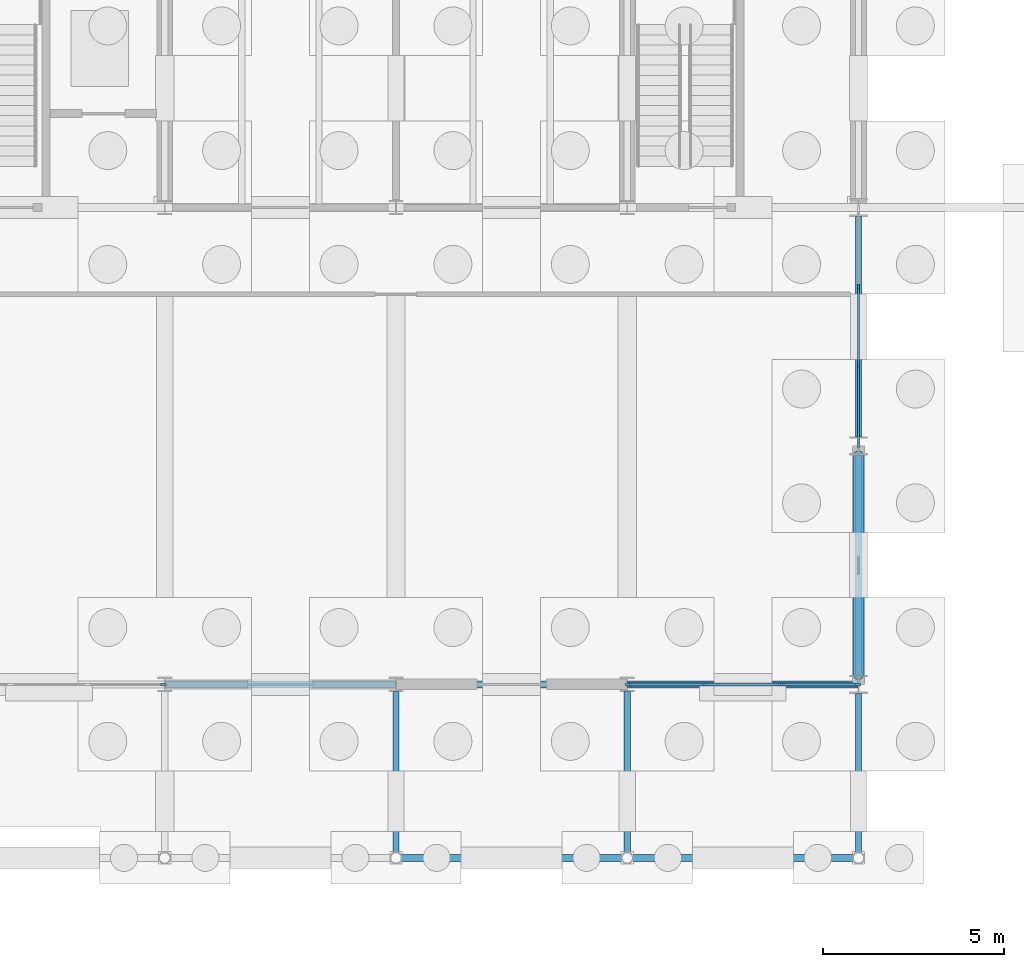
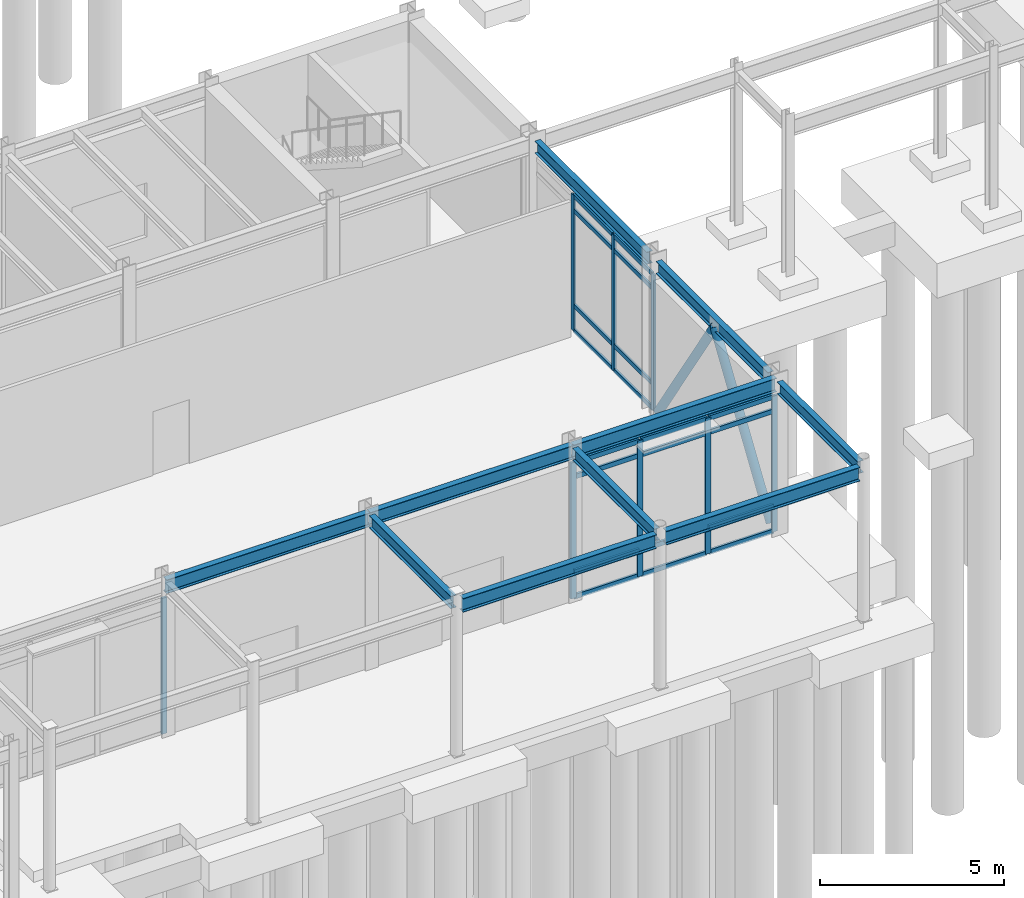
# One storey, part 33 of 82: 30 members, 10 beams, 3 elements without a shape of their own.
"""IFC4 building model written with IfcOpenShell, lengths in metres."""

from ifc_helpers import new_model, si_unit, direction, frame, origin, origin_2d, place, context, subcontext, project, spatial, rectangle, hollow_circle, i_section, extrude, material, layer, layer_set, material_profile, profile_set, type_object, element, aggregate, save


model = new_model("IFC4")

# Units and contexts
model_context = context("Model", 3, precision=1e-05, world=origin(), true_north=direction((0.0, 1.0)))
body_context = subcontext(model_context, "Body", "Model", "MODEL_VIEW")
ifc_project = project(units=[si_unit("LENGTHUNIT", "METRE"), si_unit("AREAUNIT", "SQUARE_METRE"), si_unit("VOLUMEUNIT", "CUBIC_METRE"), si_unit("PLANEANGLEUNIT", "RADIAN"), si_unit("MASSUNIT", "GRAM", prefix="KILO")], contexts=[model_context])

# Site, building, storey
site_placement = place(None, origin())
site = spatial("IfcSite", under=ifc_project, at=site_placement, CompositionType="ELEMENT")
building_placement = place(site_placement, origin())
building = spatial("IfcBuilding", under=site, at=building_placement, Name="Trelmorton Wharf Fire Station", CompositionType="ELEMENT")
storey_placement = place(building_placement, origin())
storey = spatial("IfcBuildingStorey", under=building, at=storey_placement, Name="L00", CompositionType="ELEMENT", Elevation=0.0)

# Beams
ifc_material_1 = material(Name="Steel Grade 350", Category="steel")
ifc_material_profile_1 = material_profile(ifc_material_1, i_section(OverallWidth=0.177978515625, OverallDepth=0.406005859375, WebThickness=0.0078125, FlangeThickness=0.0126953125, FilletRadius=0.011474609375, at=origin_2d()), Name="410UB59.7")
ifc_profile_set_1 = profile_set([ifc_material_profile_1], Name="Steel Grade 350")
beam_type_1 = type_object("IfcBeamType", Name="BM_410UB60", PredefinedType="BEAM", material=ifc_profile_set_1)
for number, where, z_axis, x_axis, name in (
    (1, (70.800048828125, 3.157958984375, 4.927001953125), (0.0, 1.0, 0.0), (-1.0, 0.0, 0.0), "BM-L00-0286"),
    (2, (77.199951171875, 3.157958984375, 4.927001953125), (0.0, 1.0, 0.0), (-1.0, 0.0, 0.0), "BM-L00-0292"),
):
    element("IfcBeam", number, at=place(storey_placement, frame(where, z_axis=z_axis, x_axis=x_axis)), inside=storey, type_object=beam_type_1, Name=name, PredefinedType="BEAM", context=body_context, shape_type="SweptSolid", body=[
        extrude(i_section(OverallWidth=0.177978515625, OverallDepth=0.406005859375, WebThickness=0.0078125, FlangeThickness=0.0126953125, FilletRadius=0.011474609375, at=origin_2d()), origin(), (0.0, 0.0, 1.0), 4.446044921875),
    ])
beam_1_placement = place(storey_placement, frame((83.60009765625, 3.157958984375, 4.927001953125), z_axis=(0.0, 1.0, 0.0), x_axis=(-1.0, 0.0, 0.0)))
element("IfcBeam", 3, at=beam_1_placement, inside=storey, type_object=beam_type_1, Name="BM-L00-0298", PredefinedType="BEAM", context=body_context, shape_type="SweptSolid", body=[
    extrude(i_section(OverallWidth=0.177978515625, OverallDepth=0.406005859375, WebThickness=0.0078125, FlangeThickness=0.0126953125, FilletRadius=0.011474609375, at=origin_2d()), origin(), (0.0, 0.0, 1.0), 4.39599609375),
])
beam_2_placement = place(storey_placement, frame((83.60009765625, 8.0458984375, 4.927001953125), z_axis=(0.0, 1.0, 0.0), x_axis=(-1.0, 0.0, 0.0)))
element("IfcBeam", 4, at=beam_2_placement, inside=storey, type_object=beam_type_1, Name="BM-L00-0299", PredefinedType="BEAM", context=body_context, shape_type="SweptSolid", body=[
    extrude(i_section(OverallWidth=0.177978515625, OverallDepth=0.406005859375, WebThickness=0.0078125, FlangeThickness=0.0126953125, FilletRadius=0.011474609375, at=origin_2d()), origin(), (0.0, 0.0, 1.0), 6.108154296875),
])
beam_3_placement = place(storey_placement, frame((83.60009765625, 14.64599609375, 4.927001953125), z_axis=(0.0, 1.0, 0.0), x_axis=(-1.0, 0.0, 0.0)))
element("IfcBeam", 5, at=beam_3_placement, inside=storey, type_object=beam_type_1, Name="BM-L00-0300", PredefinedType="BEAM", context=body_context, shape_type="SweptSolid", body=[
    extrude(i_section(OverallWidth=0.177978515625, OverallDepth=0.406005859375, WebThickness=0.0078125, FlangeThickness=0.0126953125, FilletRadius=0.011474609375, at=origin_2d()), origin(), (0.0, 0.0, 1.0), 6.10791015625),
])
ifc_material_2 = material(Name="Signal-red architectural steel Grade 350", Category="steel")
ifc_material_profile_2 = material_profile(ifc_material_2, i_section(OverallWidth=0.19091796875, OverallDepth=0.4599609375, WebThickness=0.010009765625, FlangeThickness=0.01611328125, FilletRadius=0.011474609375, at=origin_2d()), Name="460UB82.1")
ifc_profile_set_2 = profile_set([ifc_material_profile_2], Name="Signal-red architectural steel Grade 350")
beam_type_2 = type_object("IfcBeamType", Name="BM_RED_460UB82", PredefinedType="BEAM", material=ifc_profile_set_2)
for number, where, z_axis, x_axis, name in (
    (6, (70.9580078125, 3.0, 4.89990234375), (1.0, 0.0, 0.0), (0.0, 1.0, 0.0), "BM-L00-0013"),
    (7, (77.35791015625, 3.0, 4.89990234375), (1.0, 0.0, 0.0), (0.0, 1.0, 0.0), "BM-L00-0014"),
):
    element("IfcBeam", number, at=place(storey_placement, frame(where, z_axis=z_axis, x_axis=x_axis)), inside=storey, type_object=beam_type_2, Name=name, PredefinedType="BEAM", context=body_context, shape_type="SweptSolid", body=[
        extrude(i_section(OverallWidth=0.19091796875, OverallDepth=0.4599609375, WebThickness=0.010009765625, FlangeThickness=0.01611328125, FilletRadius=0.011474609375, at=origin_2d()), origin(), (0.0, 0.0, 1.0), 6.083984375),
    ])

# Members
ifc_material_3 = material(Name="Steel C350L0 (350 MPa)", Category="steel")
ifc_material_profile_3 = material_profile(ifc_material_3, hollow_circle(Radius=0.136474609375, WallThickness=0.00927734375, at=origin_2d()), Name="273.1x9.3CHS")
ifc_profile_set_3 = profile_set([ifc_material_profile_3], Name="Steel C350L0 (350 MPa)")
member_type_1 = type_object("IfcMemberType", Name="BR_273CHS", PredefinedType="BRACE", material=ifc_profile_set_3)
for number, where, z_axis, x_axis, name in (
    (8, (83.60009765625, 8.047119140625, 0.1201171875), (0.0, 0.548017798761, 0.836466671327), (-1.0, 0.0, 0.0), "CBF-V3-E-L00-A"),
    (9, (83.60009765625, 14.153076171875, 0.1201171875), (0.0, -0.548017798761, 0.836466671327), (1.0, 0.0, 0.0), "CBF-V3-E-L00-B"),
):
    element("IfcMember", number, at=place(storey_placement, frame(where, z_axis=z_axis, x_axis=x_axis)), inside=storey, type_object=member_type_1, Name=name, PredefinedType="BRACE", context=body_context, shape_type="SweptSolid", body=[
        extrude(hollow_circle(Radius=0.136474609375, WallThickness=0.00927734375, at=origin_2d()), origin(), (0.0, 0.0, 1.0), 5.571044921875),
    ])

# Curtain wall, member
ifc_material_4 = material(Name="Anodised aluminium AW-6063", Category="aluminium")
ifc_layer_1 = layer(ifc_material_4, 0.159912109375)
ifc_layer_set_1 = layer_set([ifc_layer_1], Name="Anodised aluminium AW-6063")
curtain_wall_type_1 = type_object("IfcCurtainWallType", Name="CW_CHIC_A", PredefinedType="USERDEFINED", material=ifc_layer_set_1)
curtain_wall_1_placement = place(storey_placement, origin())
curtain_wall_1 = element("IfcCurtainWall", 10, at=curtain_wall_1_placement, inside=storey, type_object=curtain_wall_type_1, Name="CW-V3-L00-019", ObjectType="CHICAGO BAY CURTAIN WALL", PredefinedType="USERDEFINED")
ifc_material_profile_4 = material_profile(ifc_material_4, rectangle(XDim=0.06494140625, YDim=0.159912109375, at=origin_2d()), Name="ALU-65x160")
ifc_profile_set_4 = profile_set([ifc_material_profile_4], Name="Anodised aluminium AW-6063")
member_type_2 = type_object("IfcMemberType", Name="CWM_65x160", PredefinedType="MULLION", material=ifc_profile_set_4)
member_1_placement = place(storey_placement, frame((64.364990234375, 7.800048828125, 0.0), z_axis=(0.0, 0.0, 1.0), x_axis=(0.0, -1.0, 0.0)))
member_1 = element("IfcMember", 11, at=member_1_placement, type_object=member_type_2, Name="CW1 mullion 1", PredefinedType="MULLION", context=body_context, shape_type="SweptSolid", body=[
    extrude(rectangle(XDim=0.06494140625, YDim=0.159912109375, at=origin_2d()), origin(), (0.0, 0.0, 1.0), 4.52001953125),
])
aggregate(curtain_wall_1, [member_1])

# Curtain wall, members
ifc_layer_2 = layer(ifc_material_4, 0.14990234375)
ifc_layer_set_2 = layer_set([ifc_layer_2], Name="Anodised aluminium AW-6063")
curtain_wall_type_2 = type_object("IfcCurtainWallType", Name="CW_UNIT_A", PredefinedType="USERDEFINED", material=ifc_layer_set_2)
curtain_wall_2_placement = place(storey_placement, origin())
curtain_wall_2 = element("IfcCurtainWall", 12, at=curtain_wall_2_placement, inside=storey, type_object=curtain_wall_type_2, Name="CW-V3-L00-021", ObjectType="UNITISED CURTAIN WALL", PredefinedType="USERDEFINED")
member_2_placement = place(storey_placement, frame((83.60009765625, 18.79833984375, 0.0), z_axis=(0.0, 0.0, 1.0), x_axis=(1.0, 0.0, 0.0)))
member_2 = element("IfcMember", 13, at=member_2_placement, type_object=member_type_2, Name="CW3 mullion 2", PredefinedType="MULLION", context=body_context, shape_type="SweptSolid", body=[
    extrude(rectangle(XDim=0.06494140625, YDim=0.159912109375, at=origin_2d()), origin(), (0.0, 0.0, 1.0), 4.52001953125),
])
member_3_placement = place(storey_placement, frame((83.60009765625, 16.6015625, 0.0), z_axis=(0.0, 0.0, 1.0), x_axis=(1.0, 0.0, 0.0)))
member_3 = element("IfcMember", 14, at=member_3_placement, type_object=member_type_2, Name="CW3 mullion 3", PredefinedType="MULLION", context=body_context, shape_type="SweptSolid", body=[
    extrude(rectangle(XDim=0.06494140625, YDim=0.159912109375, at=origin_2d()), origin(), (0.0, 0.0, 1.0), 4.52001953125),
])
member_4_placement = place(storey_placement, frame((83.60009765625, 14.43505859375, 0.0), z_axis=(0.0, 0.0, 1.0), x_axis=(1.0, 0.0, 0.0)))
member_4 = element("IfcMember", 15, at=member_4_placement, type_object=member_type_2, Name="CW3 mullion 4", PredefinedType="MULLION", context=body_context, shape_type="SweptSolid", body=[
    extrude(rectangle(XDim=0.06494140625, YDim=0.159912109375, at=origin_2d()), origin(), (0.0, 0.0, 1.0), 4.52001953125),
])

curtain_wall_3_placement = place(storey_placement, origin())
curtain_wall_3 = element("IfcCurtainWall", 16, at=curtain_wall_3_placement, inside=storey, type_object=curtain_wall_type_1, Name="CW-V3-L00-020", ObjectType="CHICAGO BAY CURTAIN WALL", PredefinedType="USERDEFINED")
ifc_material_profile_5 = material_profile(ifc_material_4, rectangle(XDim=0.074951171875, YDim=0.175048828125, at=origin_2d()), Name="ALU-75x175")
ifc_profile_set_5 = profile_set([ifc_material_profile_5], Name="Anodised aluminium AW-6063")
member_type_3 = type_object("IfcMemberType", Name="CWM_75x175", PredefinedType="MULLION", material=ifc_profile_set_5)
member_5_placement = place(storey_placement, frame((83.56494140625, 7.800048828125, 0.0), z_axis=(0.0, 0.0, 1.0), x_axis=(0.0, -1.0, 0.0)))
member_5 = element("IfcMember", 17, at=member_5_placement, type_object=member_type_3, Name="CW1 mullion 1", PredefinedType="MULLION", context=body_context, shape_type="SweptSolid", body=[
    extrude(rectangle(XDim=0.074951171875, YDim=0.175048828125, at=origin_2d()), origin(), (0.0, 0.0, 1.0), 4.52001953125),
])
member_6_placement = place(storey_placement, frame((81.465087890625, 7.800048828125, 0.0), z_axis=(0.0, 0.0, 1.0), x_axis=(0.0, -1.0, 0.0)))
member_6 = element("IfcMember", 18, at=member_6_placement, type_object=member_type_3, Name="CW1 mullion 2", PredefinedType="MULLION", context=body_context, shape_type="SweptSolid", body=[
    extrude(rectangle(XDim=0.074951171875, YDim=0.175048828125, at=origin_2d()), origin(), (0.0, 0.0, 1.0), 4.52001953125),
])
member_7_placement = place(storey_placement, frame((79.3349609375, 7.800048828125, 0.0), z_axis=(0.0, 0.0, 1.0), x_axis=(0.0, -1.0, 0.0)))
member_7 = element("IfcMember", 19, at=member_7_placement, type_object=member_type_3, Name="CW1 mullion 3", PredefinedType="MULLION", context=body_context, shape_type="SweptSolid", body=[
    extrude(rectangle(XDim=0.074951171875, YDim=0.175048828125, at=origin_2d()), origin(), (0.0, 0.0, 1.0), 4.52001953125),
])
member_8_placement = place(storey_placement, frame((77.235107421875, 7.800048828125, 0.0), z_axis=(0.0, 0.0, 1.0), x_axis=(0.0, -1.0, 0.0)))
member_8 = element("IfcMember", 20, at=member_8_placement, type_object=member_type_3, Name="CW1 mullion 4", PredefinedType="MULLION", context=body_context, shape_type="SweptSolid", body=[
    extrude(rectangle(XDim=0.074951171875, YDim=0.175048828125, at=origin_2d()), origin(), (0.0, 0.0, 1.0), 4.52001953125),
])

# Member
ifc_material_profile_6 = material_profile(ifc_material_4, rectangle(XDim=0.06494140625, YDim=0.139892578125, at=origin_2d()), Name="ALU-65x140")
ifc_profile_set_6 = profile_set([ifc_material_profile_6], Name="Anodised aluminium AW-6063")
member_type_4 = type_object("IfcMemberType", Name="CWT_65x140", PredefinedType="USERDEFINED", material=ifc_profile_set_6)
member_9_placement = place(storey_placement, frame((83.60009765625, 18.768310546875, 0.030029296875), z_axis=(0.0, -1.0, 0.0), x_axis=(1.0, 0.0, 0.0)))
member_9 = element("IfcMember", 21, at=member_9_placement, type_object=member_type_4, Name="CW3 transom 2.1", ObjectType="TRANSOM", PredefinedType="USERDEFINED", context=body_context, shape_type="SweptSolid", body=[
    extrude(rectangle(XDim=0.06494140625, YDim=0.139892578125, at=origin_2d()), origin(), (0.0, 0.0, 1.0), 2.13671875),
])

member_10_placement = place(storey_placement, frame((83.60009765625, 18.768310546875, 0.85009765625), z_axis=(0.0, -1.0, 0.0), x_axis=(1.0, 0.0, 0.0)))
member_10 = element("IfcMember", 22, at=member_10_placement, type_object=member_type_4, Name="CW3 transom 2.2", ObjectType="TRANSOM", PredefinedType="USERDEFINED", context=body_context, shape_type="SweptSolid", body=[
    extrude(rectangle(XDim=0.06494140625, YDim=0.139892578125, at=origin_2d()), origin(), (0.0, 0.0, 1.0), 2.13671875),
])

member_11_placement = place(storey_placement, frame((83.60009765625, 18.768310546875, 4.02001953125), z_axis=(0.0, -1.0, 0.0), x_axis=(1.0, 0.0, 0.0)))
member_11 = element("IfcMember", 23, at=member_11_placement, type_object=member_type_4, Name="CW3 transom 2.3", ObjectType="TRANSOM", PredefinedType="USERDEFINED", context=body_context, shape_type="SweptSolid", body=[
    extrude(rectangle(XDim=0.06494140625, YDim=0.139892578125, at=origin_2d()), origin(), (0.0, 0.0, 1.0), 2.13671875),
])

member_12_placement = place(storey_placement, frame((83.60009765625, 18.768310546875, 4.489990234375), z_axis=(0.0, -1.0, 0.0), x_axis=(1.0, 0.0, 0.0)))
member_12 = element("IfcMember", 24, at=member_12_placement, type_object=member_type_4, Name="CW3 transom 2.4", ObjectType="TRANSOM", PredefinedType="USERDEFINED", context=body_context, shape_type="SweptSolid", body=[
    extrude(rectangle(XDim=0.06494140625, YDim=0.139892578125, at=origin_2d()), origin(), (0.0, 0.0, 1.0), 2.13671875),
])

member_13_placement = place(storey_placement, frame((83.60009765625, 16.57177734375, 0.030029296875), z_axis=(0.0, -1.0, 0.0), x_axis=(1.0, 0.0, 0.0)))
member_13 = element("IfcMember", 25, at=member_13_placement, type_object=member_type_4, Name="CW3 transom 3.1", ObjectType="TRANSOM", PredefinedType="USERDEFINED", context=body_context, shape_type="SweptSolid", body=[
    extrude(rectangle(XDim=0.06494140625, YDim=0.139892578125, at=origin_2d()), origin(), (0.0, 0.0, 1.0), 2.106689453125),
])

member_14_placement = place(storey_placement, frame((83.60009765625, 16.57177734375, 0.85009765625), z_axis=(0.0, -1.0, 0.0), x_axis=(1.0, 0.0, 0.0)))
member_14 = element("IfcMember", 26, at=member_14_placement, type_object=member_type_4, Name="CW3 transom 3.2", ObjectType="TRANSOM", PredefinedType="USERDEFINED", context=body_context, shape_type="SweptSolid", body=[
    extrude(rectangle(XDim=0.06494140625, YDim=0.139892578125, at=origin_2d()), origin(), (0.0, 0.0, 1.0), 2.106689453125),
])

member_15_placement = place(storey_placement, frame((83.60009765625, 16.57177734375, 4.02001953125), z_axis=(0.0, -1.0, 0.0), x_axis=(1.0, 0.0, 0.0)))
member_15 = element("IfcMember", 27, at=member_15_placement, type_object=member_type_4, Name="CW3 transom 3.3", ObjectType="TRANSOM", PredefinedType="USERDEFINED", context=body_context, shape_type="SweptSolid", body=[
    extrude(rectangle(XDim=0.06494140625, YDim=0.139892578125, at=origin_2d()), origin(), (0.0, 0.0, 1.0), 2.106689453125),
])

member_16_placement = place(storey_placement, frame((83.60009765625, 16.57177734375, 4.489990234375), z_axis=(0.0, -1.0, 0.0), x_axis=(1.0, 0.0, 0.0)))
member_16 = element("IfcMember", 28, at=member_16_placement, type_object=member_type_4, Name="CW3 transom 3.4", ObjectType="TRANSOM", PredefinedType="USERDEFINED", context=body_context, shape_type="SweptSolid", body=[
    extrude(rectangle(XDim=0.06494140625, YDim=0.139892578125, at=origin_2d()), origin(), (0.0, 0.0, 1.0), 2.106689453125),
])

aggregate(curtain_wall_2, [member_2, member_3, member_4, member_9, member_10, member_11, member_12, member_13, member_14, member_15, member_16])

ifc_material_profile_7 = material_profile(ifc_material_4, rectangle(XDim=0.074951171875, YDim=0.155029296875, at=origin_2d()), Name="ALU-75x155")
ifc_profile_set_7 = profile_set([ifc_material_profile_7], Name="Anodised aluminium AW-6063")
member_type_5 = type_object("IfcMemberType", Name="CWT_75x155", PredefinedType="USERDEFINED", material=ifc_profile_set_7)
member_17_placement = place(storey_placement, frame((83.534912109375, 7.800048828125, 0.030029296875), z_axis=(-1.0, 0.0, 0.0), x_axis=(0.0, -1.0, 0.0)))
member_17 = element("IfcMember", 29, at=member_17_placement, type_object=member_type_5, Name="CW1 transom 1.1", ObjectType="TRANSOM", PredefinedType="USERDEFINED", context=body_context, shape_type="SweptSolid", body=[
    extrude(rectangle(XDim=0.074951171875, YDim=0.155029296875, at=origin_2d()), origin(), (0.0, 0.0, 1.0), 2.039794921875),
])

member_18_placement = place(storey_placement, frame((83.534912109375, 7.800048828125, 0.85009765625), z_axis=(-1.0, 0.0, 0.0), x_axis=(0.0, -1.0, 0.0)))
member_18 = element("IfcMember", 30, at=member_18_placement, type_object=member_type_5, Name="CW1 transom 1.2", ObjectType="TRANSOM", PredefinedType="USERDEFINED", context=body_context, shape_type="SweptSolid", body=[
    extrude(rectangle(XDim=0.074951171875, YDim=0.155029296875, at=origin_2d()), origin(), (0.0, 0.0, 1.0), 2.039794921875),
])

member_19_placement = place(storey_placement, frame((83.534912109375, 7.800048828125, 4.02001953125), z_axis=(-1.0, 0.0, 0.0), x_axis=(0.0, -1.0, 0.0)))
member_19 = element("IfcMember", 31, at=member_19_placement, type_object=member_type_5, Name="CW1 transom 1.3", ObjectType="TRANSOM", PredefinedType="USERDEFINED", context=body_context, shape_type="SweptSolid", body=[
    extrude(rectangle(XDim=0.074951171875, YDim=0.155029296875, at=origin_2d()), origin(), (0.0, 0.0, 1.0), 2.039794921875),
])

member_20_placement = place(storey_placement, frame((83.534912109375, 7.800048828125, 4.489990234375), z_axis=(-1.0, 0.0, 0.0), x_axis=(0.0, -1.0, 0.0)))
member_20 = element("IfcMember", 32, at=member_20_placement, type_object=member_type_5, Name="CW1 transom 1.4", ObjectType="TRANSOM", PredefinedType="USERDEFINED", context=body_context, shape_type="SweptSolid", body=[
    extrude(rectangle(XDim=0.074951171875, YDim=0.155029296875, at=origin_2d()), origin(), (0.0, 0.0, 1.0), 2.039794921875),
])

member_21_placement = place(storey_placement, frame((81.43505859375, 7.800048828125, 0.030029296875), z_axis=(-1.0, 0.0, 0.0), x_axis=(0.0, -1.0, 0.0)))
member_21 = element("IfcMember", 33, at=member_21_placement, type_object=member_type_5, Name="CW1 transom 2.1", ObjectType="TRANSOM", PredefinedType="USERDEFINED", context=body_context, shape_type="SweptSolid", body=[
    extrude(rectangle(XDim=0.074951171875, YDim=0.155029296875, at=origin_2d()), origin(), (0.0, 0.0, 1.0), 2.070068359375),
])

member_22_placement = place(storey_placement, frame((81.43505859375, 7.800048828125, 0.85009765625), z_axis=(-1.0, 0.0, 0.0), x_axis=(0.0, -1.0, 0.0)))
member_22 = element("IfcMember", 34, at=member_22_placement, type_object=member_type_5, Name="CW1 transom 2.2", ObjectType="TRANSOM", PredefinedType="USERDEFINED", context=body_context, shape_type="SweptSolid", body=[
    extrude(rectangle(XDim=0.074951171875, YDim=0.155029296875, at=origin_2d()), origin(), (0.0, 0.0, 1.0), 2.070068359375),
])

member_23_placement = place(storey_placement, frame((81.43505859375, 7.800048828125, 4.02001953125), z_axis=(-1.0, 0.0, 0.0), x_axis=(0.0, -1.0, 0.0)))
member_23 = element("IfcMember", 35, at=member_23_placement, type_object=member_type_5, Name="CW1 transom 2.3", ObjectType="TRANSOM", PredefinedType="USERDEFINED", context=body_context, shape_type="SweptSolid", body=[
    extrude(rectangle(XDim=0.074951171875, YDim=0.155029296875, at=origin_2d()), origin(), (0.0, 0.0, 1.0), 2.070068359375),
])

member_24_placement = place(storey_placement, frame((81.43505859375, 7.800048828125, 4.489990234375), z_axis=(-1.0, 0.0, 0.0), x_axis=(0.0, -1.0, 0.0)))
member_24 = element("IfcMember", 36, at=member_24_placement, type_object=member_type_5, Name="CW1 transom 2.4", ObjectType="TRANSOM", PredefinedType="USERDEFINED", context=body_context, shape_type="SweptSolid", body=[
    extrude(rectangle(XDim=0.074951171875, YDim=0.155029296875, at=origin_2d()), origin(), (0.0, 0.0, 1.0), 2.070068359375),
])

member_25_placement = place(storey_placement, frame((79.304931640625, 7.800048828125, 0.030029296875), z_axis=(-1.0, 0.0, 0.0), x_axis=(0.0, -1.0, 0.0)))
member_25 = element("IfcMember", 37, at=member_25_placement, type_object=member_type_5, Name="CW1 transom 3.1", ObjectType="TRANSOM", PredefinedType="USERDEFINED", context=body_context, shape_type="SweptSolid", body=[
    extrude(rectangle(XDim=0.074951171875, YDim=0.155029296875, at=origin_2d()), origin(), (0.0, 0.0, 1.0), 2.0400390625),
])

member_26_placement = place(storey_placement, frame((79.304931640625, 7.800048828125, 0.85009765625), z_axis=(-1.0, 0.0, 0.0), x_axis=(0.0, -1.0, 0.0)))
member_26 = element("IfcMember", 38, at=member_26_placement, type_object=member_type_5, Name="CW1 transom 3.2", ObjectType="TRANSOM", PredefinedType="USERDEFINED", context=body_context, shape_type="SweptSolid", body=[
    extrude(rectangle(XDim=0.074951171875, YDim=0.155029296875, at=origin_2d()), origin(), (0.0, 0.0, 1.0), 2.0400390625),
])

member_27_placement = place(storey_placement, frame((79.304931640625, 7.800048828125, 4.02001953125), z_axis=(-1.0, 0.0, 0.0), x_axis=(0.0, -1.0, 0.0)))
member_27 = element("IfcMember", 39, at=member_27_placement, type_object=member_type_5, Name="CW1 transom 3.3", ObjectType="TRANSOM", PredefinedType="USERDEFINED", context=body_context, shape_type="SweptSolid", body=[
    extrude(rectangle(XDim=0.074951171875, YDim=0.155029296875, at=origin_2d()), origin(), (0.0, 0.0, 1.0), 2.0400390625),
])

member_28_placement = place(storey_placement, frame((79.304931640625, 7.800048828125, 4.489990234375), z_axis=(-1.0, 0.0, 0.0), x_axis=(0.0, -1.0, 0.0)))
member_28 = element("IfcMember", 40, at=member_28_placement, type_object=member_type_5, Name="CW1 transom 3.4", ObjectType="TRANSOM", PredefinedType="USERDEFINED", context=body_context, shape_type="SweptSolid", body=[
    extrude(rectangle(XDim=0.074951171875, YDim=0.155029296875, at=origin_2d()), origin(), (0.0, 0.0, 1.0), 2.0400390625),
])

aggregate(curtain_wall_3, [member_5, member_6, member_7, member_8, member_17, member_18, member_19, member_20, member_21, member_22, member_23, member_24, member_25, member_26, member_27, member_28])

# Beams
ifc_material_profile_8 = material_profile(ifc_material_1, i_section(OverallWidth=0.18994140625, OverallDepth=0.45703125, WebThickness=0.009033203125, FlangeThickness=0.014404296875, FilletRadius=0.011474609375, at=origin_2d()), Name="460UB74.6")
ifc_profile_set_8 = profile_set([ifc_material_profile_8], Name="Steel Grade 350")
beam_type_3 = type_object("IfcBeamType", Name="SP_460UB75", PredefinedType="SPANDREL", material=ifc_profile_set_8)
beam_4_placement = place(storey_placement, frame((64.407958984375, 7.800048828125, 4.901611328125), z_axis=(1.0, 0.0, 0.0), x_axis=(0.0, 1.0, 0.0)))
element("IfcBeam", 41, at=beam_4_placement, inside=storey, type_object=beam_type_3, Name="BM-L00-0035", PredefinedType="SPANDREL", context=body_context, shape_type="SweptSolid", body=[
    extrude(i_section(OverallWidth=0.18994140625, OverallDepth=0.45703125, WebThickness=0.009033203125, FlangeThickness=0.014404296875, FilletRadius=0.011474609375, at=origin_2d()), origin(), (0.0, 0.0, 1.0), 6.384033203125),
])
beam_5_placement = place(storey_placement, frame((70.80810546875, 7.800048828125, 4.901611328125), z_axis=(1.0, 0.0, 0.0), x_axis=(0.0, 1.0, 0.0)))
element("IfcBeam", 42, at=beam_5_placement, inside=storey, type_object=beam_type_3, Name="BM-L00-0036", PredefinedType="SPANDREL", context=body_context, shape_type="SweptSolid", body=[
    extrude(i_section(OverallWidth=0.18994140625, OverallDepth=0.45703125, WebThickness=0.009033203125, FlangeThickness=0.014404296875, FilletRadius=0.011474609375, at=origin_2d()), origin(), (0.0, 0.0, 1.0), 6.3837890625),
])
beam_6_placement = place(storey_placement, frame((77.2080078125, 7.800048828125, 4.901611328125), z_axis=(1.0, 0.0, 0.0), x_axis=(0.0, 1.0, 0.0)))
element("IfcBeam", 43, at=beam_6_placement, inside=storey, type_object=beam_type_3, Name="BM-L00-0037", PredefinedType="SPANDREL", context=body_context, shape_type="SweptSolid", body=[
    extrude(i_section(OverallWidth=0.18994140625, OverallDepth=0.45703125, WebThickness=0.009033203125, FlangeThickness=0.014404296875, FilletRadius=0.011474609375, at=origin_2d()), origin(), (0.0, 0.0, 1.0), 6.384033203125),
])

save(model, "model.ifc")
